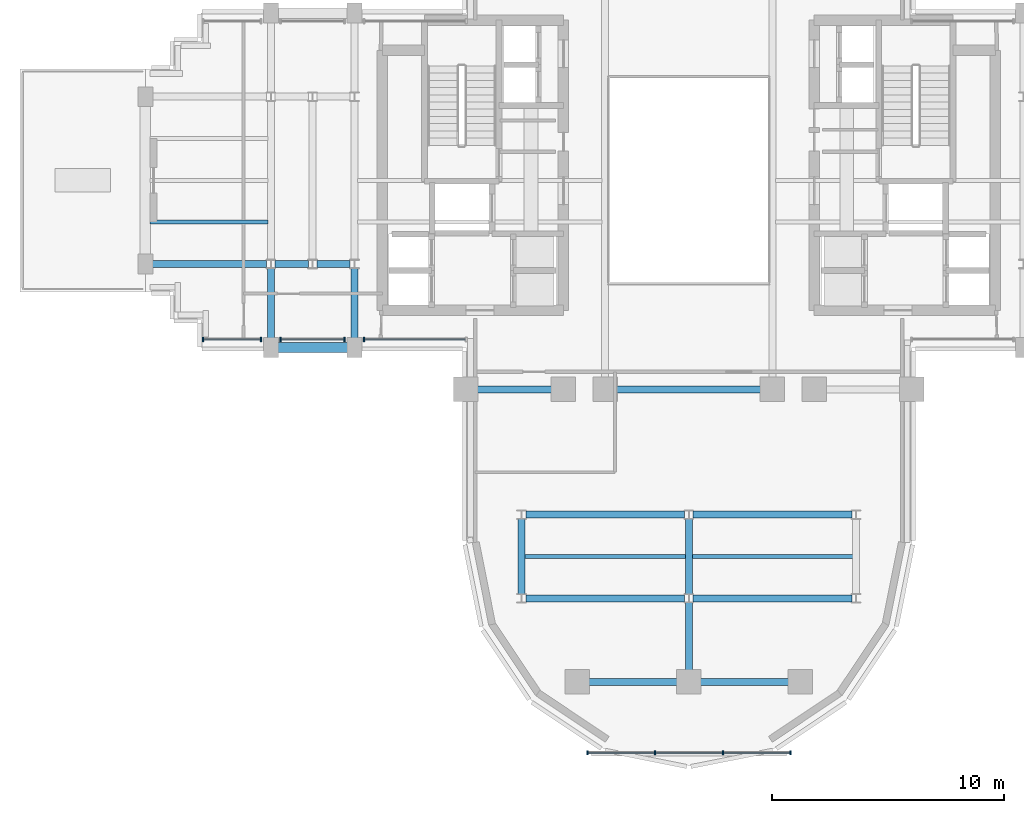
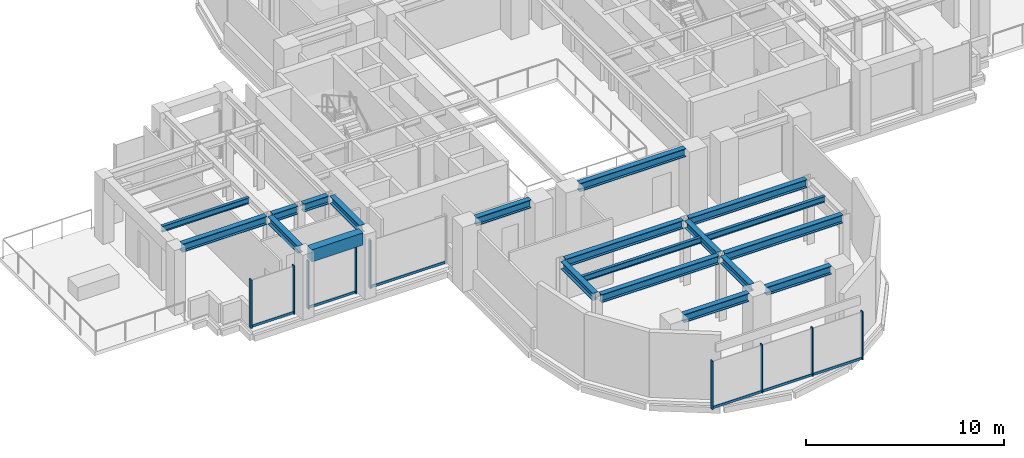
# One storey, part 3 of 16: 20 beams, 15 members, 4 elements without a shape of their own.
"""IFC4 building model written with IfcOpenShell, lengths in metres."""

from ifc_helpers import new_model, si_unit, direction, frame, origin, origin_2d, place, context, subcontext, project, spatial, rectangle, i_section, extrude, source, transform, mapped, material, material_profile, profile_set, type_object, element, aggregate, save


model = new_model("IFC4")

# Units and contexts
model_context = context("Model", 3, precision=1e-05, world=origin(), true_north=direction((0.0, 1.0)))
body_context = subcontext(model_context, "Body", "Model", "MODEL_VIEW")
ifc_project = project(units=[si_unit("LENGTHUNIT", "METRE"), si_unit("AREAUNIT", "SQUARE_METRE"), si_unit("VOLUMEUNIT", "CUBIC_METRE"), si_unit("PLANEANGLEUNIT", "RADIAN"), si_unit("MASSUNIT", "GRAM", prefix="KILO")], contexts=[model_context])

# Site, building, storey
site_placement = place(None, origin())
site = spatial("IfcSite", under=ifc_project, at=site_placement, CompositionType="ELEMENT")
building_placement = place(site_placement, origin())
building = spatial("IfcBuilding", under=site, at=building_placement, Name="Keilestroom Media Tower", CompositionType="ELEMENT")
storey_placement = place(building_placement, frame((0.0, 0.0, 93.0)))
storey = spatial("IfcBuildingStorey", under=building, at=storey_placement, Name="L24", CompositionType="ELEMENT", Elevation=93.0)

# Beams
ifc_material_1 = material(Name="Steel S355", Category="steel")
ifc_material_profile_1 = material_profile(ifc_material_1, i_section(OverallWidth=0.169921875, OverallDepth=0.360107421875, WebThickness=0.008056640625, FlangeThickness=0.0126953125, at=origin_2d()), Name="IPE 360")
ifc_profile_set_1 = profile_set([ifc_material_profile_1], Name="Steel S355")
beam_type_1 = type_object("IfcBeamType", Name="Secondary-Floor-Joist-IPE-360", PredefinedType="JOIST", material=ifc_profile_set_1)
shared_shape_1 = source(origin(), body_context, "Body", "SweptSolid", [
    extrude(i_section(OverallWidth=0.169921875, OverallDepth=0.360107421875, WebThickness=0.008056640625, FlangeThickness=0.0126953125, at=origin_2d()), origin(), (0.0, 0.0, 1.0), 6.940185546875),
])
for number, where, z_axis, x_axis, name in (
    (1, (-7.070068359375, -16.199951171875, 3.820068359375), (1.0, 0.0, 0.0), (0.0, 1.0, 0.0), "L24 Beam BJ-5 JST-L24-069"),
    (2, (0.1298828125, -16.199951171875, 3.820068359375), (1.0, 0.0, 0.0), (0.0, 1.0, 0.0), "L24 Beam BJ-5 JST-L24-070"),
):
    element("IfcBeam", number, at=place(storey_placement, frame(where, z_axis=z_axis, x_axis=x_axis)), inside=storey, type_object=beam_type_1, Name=name, PredefinedType="JOIST", context=body_context, shape_type="MappedRepresentation", body=[
        mapped(shared_shape_1, transform((0.0, 0.0, 0.0), x_axis=(1.0, 0.0, 0.0), y_axis=(0.0, 1.0, 0.0), z_axis=(0.0, 0.0, 1.0), scale=1.0)),
    ])
ifc_material_profile_2 = material_profile(ifc_material_1, i_section(OverallWidth=0.300048828125, OverallDepth=0.5, WebThickness=0.012451171875, FlangeThickness=0.028076171875, at=origin_2d()), Name="HEB 500")
ifc_profile_set_2 = profile_set([ifc_material_profile_2], Name="Steel S355")
beam_type_2 = type_object("IfcBeamType", Name="Primary-Structural-Girder-HEB-500", PredefinedType="BEAM", material=ifc_profile_set_2)
shared_shape_2 = source(origin(), body_context, "Body", "SweptSolid", [
    extrude(i_section(OverallWidth=0.300048828125, OverallDepth=0.5, WebThickness=0.012451171875, FlangeThickness=0.028076171875, at=origin_2d()), origin(), (0.0, 0.0, 1.0), 3.7900390625),
])
for number, where, z_axis, x_axis, name in (
    (3, (-4.294921875, -21.60009765625, 3.75), (1.0, 0.0, 0.0), (0.0, 1.0, 0.0), "L24 Beam BG-6 BM-L24-EW-001"),
    (4, (0.5048828125, -21.60009765625, 3.75), (1.0, 0.0, 0.0), (0.0, 1.0, 0.0), "L24 Beam BG-6 BM-L24-EW-002"),
):
    element("IfcBeam", number, at=place(storey_placement, frame(where, z_axis=z_axis, x_axis=x_axis)), inside=storey, type_object=beam_type_2, Name=name, PredefinedType="BEAM", context=body_context, shape_type="MappedRepresentation", body=[
        mapped(shared_shape_2, transform((0.0, 0.0, 0.0), x_axis=(1.0, 0.0, 0.0), y_axis=(0.0, 1.0, 0.0), z_axis=(0.0, 0.0, 1.0), scale=1.0)),
    ])
shared_shape_3 = source(origin(), body_context, "Body", "SweptSolid", [
    extrude(i_section(OverallWidth=0.300048828125, OverallDepth=0.5, WebThickness=0.012451171875, FlangeThickness=0.028076171875, at=origin_2d()), origin(), (0.0, 0.0, 1.0), 6.839111328125),
])
for number, where, z_axis, x_axis, name in (
    (5, (-7.01953125, -18.0, 3.75), (1.0, 0.0, 0.0), (0.0, 1.0, 0.0), "L24 Beam BG-6 BM-L24-EW-003"),
    (6, (0.180419921875, -18.0, 3.75), (1.0, 0.0, 0.0), (0.0, 1.0, 0.0), "L24 Beam BG-6 BM-L24-EW-004"),
    (7, (-7.01953125, -14.39990234375, 3.75), (1.0, 0.0, 0.0), (0.0, 1.0, 0.0), "L24 Beam BG-6 BM-L24-EW-005"),
    (8, (0.180419921875, -14.39990234375, 3.75), (1.0, 0.0, 0.0), (0.0, 1.0, 0.0), "L24 Beam BG-6 BM-L24-EW-006"),
):
    element("IfcBeam", number, at=place(storey_placement, frame(where, z_axis=z_axis, x_axis=x_axis)), inside=storey, type_object=beam_type_2, Name=name, PredefinedType="BEAM", context=body_context, shape_type="MappedRepresentation", body=[
        mapped(shared_shape_3, transform((0.0, 0.0, 0.0), x_axis=(1.0, 0.0, 0.0), y_axis=(0.0, 1.0, 0.0), z_axis=(0.0, 0.0, 1.0), scale=1.0)),
    ])
shared_shape_4 = source(origin(), body_context, "Body", "SweptSolid", [
    extrude(i_section(OverallWidth=0.300048828125, OverallDepth=0.5, WebThickness=0.012451171875, FlangeThickness=0.028076171875, at=origin_2d()), origin(), (0.0, 0.0, 1.0), 3.18994140625),
])
beam_1_placement = place(storey_placement, frame((-9.094970703125, -9.0, 3.75), z_axis=(1.0, 0.0, 0.0), x_axis=(0.0, 1.0, 0.0)))
element("IfcBeam", 9, at=beam_1_placement, inside=storey, type_object=beam_type_2, Name="L24 Beam BG-6 BM-L24-EW-007", PredefinedType="BEAM", context=body_context, shape_type="MappedRepresentation", body=[
    mapped(shared_shape_4, transform((0.0, 0.0, 0.0), x_axis=(1.0, 0.0, 0.0), y_axis=(0.0, 1.0, 0.0), z_axis=(0.0, 0.0, 1.0), scale=1.0)),
])
shared_shape_5 = source(origin(), body_context, "Body", "SweptSolid", [
    extrude(i_section(OverallWidth=0.300048828125, OverallDepth=0.5, WebThickness=0.012451171875, FlangeThickness=0.028076171875, at=origin_2d()), origin(), (0.0, 0.0, 1.0), 6.18994140625),
])
beam_2_placement = place(storey_placement, frame((-3.094970703125, -9.0, 3.75), z_axis=(1.0, 0.0, 0.0), x_axis=(0.0, 1.0, 0.0)))
element("IfcBeam", 10, at=beam_2_placement, inside=storey, type_object=beam_type_2, Name="L24 Beam BG-6 BM-L24-EW-009", PredefinedType="BEAM", context=body_context, shape_type="MappedRepresentation", body=[
    mapped(shared_shape_5, transform((0.0, 0.0, 0.0), x_axis=(1.0, 0.0, 0.0), y_axis=(0.0, 1.0, 0.0), z_axis=(0.0, 0.0, 1.0), scale=1.0)),
])
ifc_material_2 = material(Name="Precast concrete C40/50", Category="concrete")
ifc_material_profile_3 = material_profile(ifc_material_2, rectangle(XDim=0.449951171875, YDim=0.75, at=origin_2d()), Name="PC 450x750")
ifc_profile_set_3 = profile_set([ifc_material_profile_3], Name="Precast concrete C40/50")
beam_type_3 = type_object("IfcBeamType", Name="Perimeter-Spandrel-Beam-PC-450x750", PredefinedType="SPANDREL", material=ifc_profile_set_3)
shared_shape_6 = source(origin(), body_context, "Body", "SweptSolid", [
    extrude(rectangle(XDim=0.449951171875, YDim=0.75, at=origin_2d()), origin(), (0.0, 0.0, 1.0), 2.989990234375),
])
beam_3_placement = place(storey_placement, frame((-17.695068359375, -7.199951171875, 3.625), z_axis=(1.0, 0.0, 0.0), x_axis=(0.0, 1.0, 0.0)))
element("IfcBeam", 11, at=beam_3_placement, inside=storey, type_object=beam_type_3, Name="L24 Beam SPB-1 BM-L24-EW-012", PredefinedType="SPANDREL", context=body_context, shape_type="MappedRepresentation", body=[
    mapped(shared_shape_6, transform((0.0, 0.0, 0.0), x_axis=(1.0, 0.0, 0.0), y_axis=(0.0, 1.0, 0.0), z_axis=(0.0, 0.0, 1.0), scale=1.0)),
])
shared_shape_7 = source(origin(), body_context, "Body", "SweptSolid", [
    extrude(i_section(OverallWidth=0.300048828125, OverallDepth=0.5, WebThickness=0.012451171875, FlangeThickness=0.028076171875, at=origin_2d()), origin(), (0.0, 0.0, 1.0), 4.91455078125),
])
beam_4_placement = place(storey_placement, frame((-23.094970703125, -3.60009765625, 3.75), z_axis=(1.0, 0.0, 0.0), x_axis=(0.0, 1.0, 0.0)))
element("IfcBeam", 12, at=beam_4_placement, inside=storey, type_object=beam_type_2, Name="L24 Beam BG-6 BM-L24-EW-014", PredefinedType="BEAM", context=body_context, shape_type="MappedRepresentation", body=[
    mapped(shared_shape_7, transform((0.0, 0.0, 0.0), x_axis=(1.0, 0.0, 0.0), y_axis=(0.0, 1.0, 0.0), z_axis=(0.0, 0.0, 1.0), scale=1.0)),
])
shared_shape_8 = source(origin(), body_context, "Body", "SweptSolid", [
    extrude(i_section(OverallWidth=0.300048828125, OverallDepth=0.5, WebThickness=0.012451171875, FlangeThickness=0.028076171875, at=origin_2d()), origin(), (0.0, 0.0, 1.0), 1.43896484375),
])
for number, where, z_axis, x_axis, name in (
    (13, (-17.819580078125, -3.60009765625, 3.75), (1.0, 0.0, 0.0), (0.0, 1.0, 0.0), "L24 Beam BG-6 BM-L24-EW-015"),
    (14, (-16.01953125, -3.60009765625, 3.75), (1.0, 0.0, 0.0), (0.0, 1.0, 0.0), "L24 Beam BG-6 BM-L24-EW-016"),
):
    element("IfcBeam", number, at=place(storey_placement, frame(where, z_axis=z_axis, x_axis=x_axis)), inside=storey, type_object=beam_type_2, Name=name, PredefinedType="BEAM", context=body_context, shape_type="MappedRepresentation", body=[
        mapped(shared_shape_8, transform((0.0, 0.0, 0.0), x_axis=(1.0, 0.0, 0.0), y_axis=(0.0, 1.0, 0.0), z_axis=(0.0, 0.0, 1.0), scale=1.0)),
    ])
ifc_material_profile_4 = material_profile(ifc_material_1, i_section(OverallWidth=0.300048828125, OverallDepth=0.449951171875, WebThickness=0.011962890625, FlangeThickness=0.02587890625, at=origin_2d()), Name="HEB 450")
ifc_profile_set_4 = profile_set([ifc_material_profile_4], Name="Steel S355")
beam_type_4 = type_object("IfcBeamType", Name="Primary-Structural-Girder-HEB-450", PredefinedType="BEAM", material=ifc_profile_set_4)
shared_shape_9 = source(origin(), body_context, "Body", "SweptSolid", [
    extrude(i_section(OverallWidth=0.300048828125, OverallDepth=0.449951171875, WebThickness=0.011962890625, FlangeThickness=0.02587890625, at=origin_2d()), origin(), (0.0, 0.0, 1.0), 3.015380859375),
])
for number, where, z_axis, x_axis, name in (
    (15, (-18.0, -6.794921875, 3.77490234375), (0.0, 1.0, 0.0), (-1.0, 0.0, 0.0), "L24 Beam BG-7 BM-L24-NS-040"),
    (16, (-14.39990234375, -6.794921875, 3.77490234375), (0.0, 1.0, 0.0), (-1.0, 0.0, 0.0), "L24 Beam BG-7 BM-L24-NS-044"),
):
    element("IfcBeam", number, at=place(storey_placement, frame(where, z_axis=z_axis, x_axis=x_axis)), inside=storey, type_object=beam_type_4, Name=name, PredefinedType="BEAM", context=body_context, shape_type="MappedRepresentation", body=[
        mapped(shared_shape_9, transform((0.0, 0.0, 0.0), x_axis=(1.0, 0.0, 0.0), y_axis=(0.0, 1.0, 0.0), z_axis=(0.0, 0.0, 1.0), scale=1.0)),
    ])
shared_shape_10 = source(origin(), body_context, "Body", "SweptSolid", [
    extrude(i_section(OverallWidth=0.300048828125, OverallDepth=0.449951171875, WebThickness=0.011962890625, FlangeThickness=0.02587890625, at=origin_2d()), origin(), (0.0, 0.0, 1.0), 3.240966796875),
])
for number, where, z_axis, x_axis, name in (
    (17, (-7.199951171875, -17.820556640625, 3.77490234375), (0.0, 1.0, 0.0), (-1.0, 0.0, 0.0), "L24 Beam BG-7 BM-L24-NS-048"),
    (18, (0.0, -17.820556640625, 3.77490234375), (0.0, 1.0, 0.0), (-1.0, 0.0, 0.0), "L24 Beam BG-7 BM-L24-NS-053"),
):
    element("IfcBeam", number, at=place(storey_placement, frame(where, z_axis=z_axis, x_axis=x_axis)), inside=storey, type_object=beam_type_4, Name=name, PredefinedType="BEAM", context=body_context, shape_type="MappedRepresentation", body=[
        mapped(shared_shape_10, transform((0.0, 0.0, 0.0), x_axis=(1.0, 0.0, 0.0), y_axis=(0.0, 1.0, 0.0), z_axis=(0.0, 0.0, 1.0), scale=1.0)),
    ])
shared_shape_11 = source(origin(), body_context, "Body", "SweptSolid", [
    extrude(i_section(OverallWidth=0.300048828125, OverallDepth=0.449951171875, WebThickness=0.011962890625, FlangeThickness=0.02587890625, at=origin_2d()), origin(), (0.0, 0.0, 1.0), 2.91552734375),
])
beam_5_placement = place(storey_placement, frame((0.0, -21.094970703125, 3.77490234375), z_axis=(0.0, 1.0, 0.0), x_axis=(-1.0, 0.0, 0.0)))
element("IfcBeam", 19, at=beam_5_placement, inside=storey, type_object=beam_type_4, Name="L24 Beam BG-7 BM-L24-NS-052", PredefinedType="BEAM", context=body_context, shape_type="MappedRepresentation", body=[
    mapped(shared_shape_11, transform((0.0, 0.0, 0.0), x_axis=(1.0, 0.0, 0.0), y_axis=(0.0, 1.0, 0.0), z_axis=(0.0, 0.0, 1.0), scale=1.0)),
])
shared_shape_12 = source(origin(), body_context, "Body", "SweptSolid", [
    extrude(i_section(OverallWidth=0.169921875, OverallDepth=0.360107421875, WebThickness=0.008056640625, FlangeThickness=0.0126953125, at=origin_2d()), origin(), (0.0, 0.0, 1.0), 5.065185546875),
])
beam_6_placement = place(storey_placement, frame((-23.195068359375, -1.800048828125, 3.820068359375), z_axis=(1.0, 0.0, 0.0), x_axis=(0.0, 1.0, 0.0)))
element("IfcBeam", 20, at=beam_6_placement, inside=storey, type_object=beam_type_1, Name="L24 Beam BJ-5 JST-L24-071", PredefinedType="JOIST", context=body_context, shape_type="MappedRepresentation", body=[
    mapped(shared_shape_12, transform((0.0, 0.0, 0.0), x_axis=(1.0, 0.0, 0.0), y_axis=(0.0, 1.0, 0.0), z_axis=(0.0, 0.0, 1.0), scale=1.0)),
])

# Curtain wall, members
ifc_material_3 = material(Name="Anodised Aluminium Alloy", Category="aluminium")
curtain_wall_type_1 = type_object("IfcCurtainWallType", Name="Unitised-Curtain-Wall-CW-6", PredefinedType="NOTDEFINED", material=ifc_material_3)
curtain_wall_1_placement = place(storey_placement, origin())
curtain_wall_1 = element("IfcCurtainWall", 21, at=curtain_wall_1_placement, inside=storey, type_object=curtain_wall_type_1, Name="L24 Curtain Wall CW-6 CW-L24-LS-1", PredefinedType="NOTDEFINED")
ifc_material_profile_5 = material_profile(ifc_material_3, rectangle(XDim=0.06494140625, YDim=0.179931640625, at=origin_2d()), Name="ALU MULLION 65x180")
ifc_profile_set_5 = profile_set([ifc_material_profile_5], Name="Anodised Aluminium Alloy")
member_type_1 = type_object("IfcMemberType", Name="Curtain-Wall-Mullion-CW-6", PredefinedType="MULLION", material=ifc_profile_set_5)
shared_shape_13 = source(origin(), body_context, "Body", "SweptSolid", [
    extrude(rectangle(XDim=0.06494140625, YDim=0.179931640625, at=origin_2d()), origin(), (0.0, 0.0, 1.0), 2.97998046875),
])
member_1_placement = place(storey_placement, frame((-4.367431640625, -24.64990234375, 0.0), z_axis=(0.0, 0.0, 1.0), x_axis=(1.0, 0.0, 0.0)))
member_1 = element("IfcMember", 22, at=member_1_placement, type_object=member_type_1, Name="CW-6 Mullion 00", PredefinedType="MULLION", context=body_context, shape_type="MappedRepresentation", body=[
    mapped(shared_shape_13, transform((0.0, 0.0, 0.0), x_axis=(1.0, 0.0, 0.0), y_axis=(0.0, 1.0, 0.0), z_axis=(0.0, 0.0, 1.0), scale=1.0)),
])
member_2_placement = place(storey_placement, frame((-1.466796875, -24.64990234375, 0.0), z_axis=(0.0, 0.0, 1.0), x_axis=(1.0, 0.0, 0.0)))
member_2 = element("IfcMember", 23, at=member_2_placement, type_object=member_type_1, Name="CW-6 Mullion 01", PredefinedType="MULLION", context=body_context, shape_type="MappedRepresentation", body=[
    mapped(shared_shape_13, transform((0.0, 0.0, 0.0), x_axis=(1.0, 0.0, 0.0), y_axis=(0.0, 1.0, 0.0), z_axis=(0.0, 0.0, 1.0), scale=1.0)),
])
member_3_placement = place(storey_placement, frame((1.466796875, -24.64990234375, 0.0), z_axis=(0.0, 0.0, 1.0), x_axis=(1.0, 0.0, 0.0)))
member_3 = element("IfcMember", 24, at=member_3_placement, type_object=member_type_1, Name="CW-6 Mullion 02", PredefinedType="MULLION", context=body_context, shape_type="MappedRepresentation", body=[
    mapped(shared_shape_13, transform((0.0, 0.0, 0.0), x_axis=(1.0, 0.0, 0.0), y_axis=(0.0, 1.0, 0.0), z_axis=(0.0, 0.0, 1.0), scale=1.0)),
])
member_4_placement = place(storey_placement, frame((4.367431640625, -24.64990234375, 0.0), z_axis=(0.0, 0.0, 1.0), x_axis=(1.0, 0.0, 0.0)))
member_4 = element("IfcMember", 25, at=member_4_placement, type_object=member_type_1, Name="CW-6 Mullion 03", PredefinedType="MULLION", context=body_context, shape_type="MappedRepresentation", body=[
    mapped(shared_shape_13, transform((0.0, 0.0, 0.0), x_axis=(1.0, 0.0, 0.0), y_axis=(0.0, 1.0, 0.0), z_axis=(0.0, 0.0, 1.0), scale=1.0)),
])
ifc_material_profile_6 = material_profile(ifc_material_3, rectangle(XDim=0.06494140625, YDim=0.14990234375, at=origin_2d()), Name="ALU TRANSOM 65x150")
ifc_profile_set_6 = profile_set([ifc_material_profile_6], Name="Anodised Aluminium Alloy")
member_type_2 = type_object("IfcMemberType", Name="Curtain-Wall-Transom-CW-6", PredefinedType="USERDEFINED", material=ifc_profile_set_6)
shared_shape_14 = source(origin(), body_context, "Body", "SweptSolid", [
    extrude(rectangle(XDim=0.06494140625, YDim=0.14990234375, at=origin_2d()), origin(), (0.0, 0.0, 1.0), 2.839599609375),
])
member_5_placement = place(storey_placement, frame((-4.3369140625, -24.64990234375, 0.074951171875), z_axis=(1.0, 0.0, 0.0), x_axis=(0.0, 1.0, 0.0)))
member_5 = element("IfcMember", 26, at=member_5_placement, type_object=member_type_2, Name="CW-6 Transom 00.1", ObjectType="TRANSOM", PredefinedType="USERDEFINED", context=body_context, shape_type="MappedRepresentation", body=[
    mapped(shared_shape_14, transform((0.0, 0.0, 0.0), x_axis=(1.0, 0.0, 0.0), y_axis=(0.0, 1.0, 0.0), z_axis=(0.0, 0.0, 1.0), scale=1.0)),
])
member_6_placement = place(storey_placement, frame((1.497314453125, -24.64990234375, 0.074951171875), z_axis=(1.0, 0.0, 0.0), x_axis=(0.0, 1.0, 0.0)))
member_6 = element("IfcMember", 27, at=member_6_placement, type_object=member_type_2, Name="CW-6 Transom 02.1", ObjectType="TRANSOM", PredefinedType="USERDEFINED", context=body_context, shape_type="MappedRepresentation", body=[
    mapped(shared_shape_14, transform((0.0, 0.0, 0.0), x_axis=(1.0, 0.0, 0.0), y_axis=(0.0, 1.0, 0.0), z_axis=(0.0, 0.0, 1.0), scale=1.0)),
])
shared_shape_15 = source(origin(), body_context, "Body", "SweptSolid", [
    extrude(rectangle(XDim=0.06494140625, YDim=0.14990234375, at=origin_2d()), origin(), (0.0, 0.0, 1.0), 2.87255859375),
])
member_7_placement = place(storey_placement, frame((-1.436279296875, -24.64990234375, 0.074951171875), z_axis=(1.0, 0.0, 0.0), x_axis=(0.0, 1.0, 0.0)))
member_7 = element("IfcMember", 28, at=member_7_placement, type_object=member_type_2, Name="CW-6 Transom 01.1", ObjectType="TRANSOM", PredefinedType="USERDEFINED", context=body_context, shape_type="MappedRepresentation", body=[
    mapped(shared_shape_15, transform((0.0, 0.0, 0.0), x_axis=(1.0, 0.0, 0.0), y_axis=(0.0, 1.0, 0.0), z_axis=(0.0, 0.0, 1.0), scale=1.0)),
])
aggregate(curtain_wall_1, [member_1, member_2, member_3, member_4, member_5, member_7, member_6])

curtain_wall_type_2 = type_object("IfcCurtainWallType", Name="Unitised-Curtain-Wall-CW-2", PredefinedType="NOTDEFINED", material=ifc_material_3)
curtain_wall_2_placement = place(storey_placement, origin())
curtain_wall_2 = element("IfcCurtainWall", 29, at=curtain_wall_2_placement, inside=storey, type_object=curtain_wall_type_2, Name="L24 Curtain Wall CW-2 CW-L24-SW-1", PredefinedType="NOTDEFINED")
ifc_material_profile_7 = material_profile(ifc_material_3, rectangle(XDim=0.070068359375, YDim=0.199951171875, at=origin_2d()), Name="ALU MULLION 70x200")
ifc_profile_set_7 = profile_set([ifc_material_profile_7], Name="Anodised Aluminium Alloy")
member_type_3 = type_object("IfcMemberType", Name="Curtain-Wall-Mullion-CW-2", PredefinedType="MULLION", material=ifc_profile_set_7)
shared_shape_16 = source(origin(), body_context, "Body", "SweptSolid", [
    extrude(rectangle(XDim=0.070068359375, YDim=0.199951171875, at=origin_2d()), origin(), (0.0, 0.0, 1.0), 2.97998046875),
])
member_8_placement = place(storey_placement, frame((-20.9150390625, -6.85009765625, 0.0), z_axis=(0.0, 0.0, 1.0), x_axis=(1.0, 0.0, 0.0)))
member_8 = element("IfcMember", 30, at=member_8_placement, type_object=member_type_3, Name="CW-2 Mullion 00", PredefinedType="MULLION", context=body_context, shape_type="MappedRepresentation", body=[
    mapped(shared_shape_16, transform((0.0, 0.0, 0.0), x_axis=(1.0, 0.0, 0.0), y_axis=(0.0, 1.0, 0.0), z_axis=(0.0, 0.0, 1.0), scale=1.0)),
])
member_9_placement = place(storey_placement, frame((-18.419921875, -6.85009765625, 0.0), z_axis=(0.0, 0.0, 1.0), x_axis=(1.0, 0.0, 0.0)))
member_9 = element("IfcMember", 31, at=member_9_placement, type_object=member_type_3, Name="CW-2 Mullion 01", PredefinedType="MULLION", context=body_context, shape_type="MappedRepresentation", body=[
    mapped(shared_shape_16, transform((0.0, 0.0, 0.0), x_axis=(1.0, 0.0, 0.0), y_axis=(0.0, 1.0, 0.0), z_axis=(0.0, 0.0, 1.0), scale=1.0)),
])

curtain_wall_3_placement = place(storey_placement, origin())
curtain_wall_3 = element("IfcCurtainWall", 32, at=curtain_wall_3_placement, inside=storey, type_object=curtain_wall_type_2, Name="L24 Curtain Wall CW-2 CW-L24-SW-2", PredefinedType="NOTDEFINED")
member_10_placement = place(storey_placement, frame((-17.580078125, -6.85009765625, 0.0), z_axis=(0.0, 0.0, 1.0), x_axis=(1.0, 0.0, 0.0)))
member_10 = element("IfcMember", 33, at=member_10_placement, type_object=member_type_3, Name="CW-2 Mullion 00", PredefinedType="MULLION", context=body_context, shape_type="MappedRepresentation", body=[
    mapped(shared_shape_16, transform((0.0, 0.0, 0.0), x_axis=(1.0, 0.0, 0.0), y_axis=(0.0, 1.0, 0.0), z_axis=(0.0, 0.0, 1.0), scale=1.0)),
])
member_11_placement = place(storey_placement, frame((-14.820068359375, -6.85009765625, 0.0), z_axis=(0.0, 0.0, 1.0), x_axis=(1.0, 0.0, 0.0)))
member_11 = element("IfcMember", 34, at=member_11_placement, type_object=member_type_3, Name="CW-2 Mullion 01", PredefinedType="MULLION", context=body_context, shape_type="MappedRepresentation", body=[
    mapped(shared_shape_16, transform((0.0, 0.0, 0.0), x_axis=(1.0, 0.0, 0.0), y_axis=(0.0, 1.0, 0.0), z_axis=(0.0, 0.0, 1.0), scale=1.0)),
])

# Curtain wall, member
curtain_wall_4_placement = place(storey_placement, origin())
curtain_wall_4 = element("IfcCurtainWall", 35, at=curtain_wall_4_placement, inside=storey, type_object=curtain_wall_type_2, Name="L24 Curtain Wall CW-2 CW-L24-SW-3", PredefinedType="NOTDEFINED")
member_12_placement = place(storey_placement, frame((-13.97998046875, -6.85009765625, 0.0), z_axis=(0.0, 0.0, 1.0), x_axis=(1.0, 0.0, 0.0)))
member_12 = element("IfcMember", 36, at=member_12_placement, type_object=member_type_3, Name="CW-2 Mullion 00", PredefinedType="MULLION", context=body_context, shape_type="MappedRepresentation", body=[
    mapped(shared_shape_16, transform((0.0, 0.0, 0.0), x_axis=(1.0, 0.0, 0.0), y_axis=(0.0, 1.0, 0.0), z_axis=(0.0, 0.0, 1.0), scale=1.0)),
])

# Member
ifc_material_profile_8 = material_profile(ifc_material_3, rectangle(XDim=0.06494140625, YDim=0.14990234375, at=origin_2d()), Name="ALU TRANSOM 65x150")
ifc_profile_set_8 = profile_set([ifc_material_profile_8], Name="Anodised Aluminium Alloy")
member_type_4 = type_object("IfcMemberType", Name="Curtain-Wall-Transom-CW-2", PredefinedType="USERDEFINED", material=ifc_profile_set_8)
shared_shape_17 = source(origin(), body_context, "Body", "SweptSolid", [
    extrude(rectangle(XDim=0.06494140625, YDim=0.14990234375, at=origin_2d()), origin(), (0.0, 0.0, 1.0), 2.42919921875),
])
member_13_placement = place(storey_placement, frame((-20.882080078125, -6.85009765625, 0.074951171875), z_axis=(1.0, 0.0, 0.0), x_axis=(0.0, 1.0, 0.0)))
member_13 = element("IfcMember", 37, at=member_13_placement, type_object=member_type_4, Name="CW-2 Transom 00.1", ObjectType="TRANSOM", PredefinedType="USERDEFINED", context=body_context, shape_type="MappedRepresentation", body=[
    mapped(shared_shape_17, transform((0.0, 0.0, 0.0), x_axis=(1.0, 0.0, 0.0), y_axis=(0.0, 1.0, 0.0), z_axis=(0.0, 0.0, 1.0), scale=1.0)),
])

aggregate(curtain_wall_2, [member_8, member_9, member_13])

shared_shape_18 = source(origin(), body_context, "Body", "SweptSolid", [
    extrude(rectangle(XDim=0.06494140625, YDim=0.14990234375, at=origin_2d()), origin(), (0.0, 0.0, 1.0), 2.694091796875),
])
member_14_placement = place(storey_placement, frame((-17.547119140625, -6.85009765625, 0.074951171875), z_axis=(1.0, 0.0, 0.0), x_axis=(0.0, 1.0, 0.0)))
member_14 = element("IfcMember", 38, at=member_14_placement, type_object=member_type_4, Name="CW-2 Transom 00.1", ObjectType="TRANSOM", PredefinedType="USERDEFINED", context=body_context, shape_type="MappedRepresentation", body=[
    mapped(shared_shape_18, transform((0.0, 0.0, 0.0), x_axis=(1.0, 0.0, 0.0), y_axis=(0.0, 1.0, 0.0), z_axis=(0.0, 0.0, 1.0), scale=1.0)),
])

aggregate(curtain_wall_3, [member_10, member_11, member_14])

shared_shape_19 = source(origin(), body_context, "Body", "SweptSolid", [
    extrude(rectangle(XDim=0.06494140625, YDim=0.14990234375, at=origin_2d()), origin(), (0.0, 0.0, 1.0), 4.3291015625),
])
member_15_placement = place(storey_placement, frame((-13.947021484375, -6.85009765625, 0.074951171875), z_axis=(1.0, 0.0, 0.0), x_axis=(0.0, 1.0, 0.0)))
member_15 = element("IfcMember", 39, at=member_15_placement, type_object=member_type_4, Name="CW-2 Transom 00.1", ObjectType="TRANSOM", PredefinedType="USERDEFINED", context=body_context, shape_type="MappedRepresentation", body=[
    mapped(shared_shape_19, transform((0.0, 0.0, 0.0), x_axis=(1.0, 0.0, 0.0), y_axis=(0.0, 1.0, 0.0), z_axis=(0.0, 0.0, 1.0), scale=1.0)),
])

aggregate(curtain_wall_4, [member_12, member_15])

save(model, "model.ifc")
